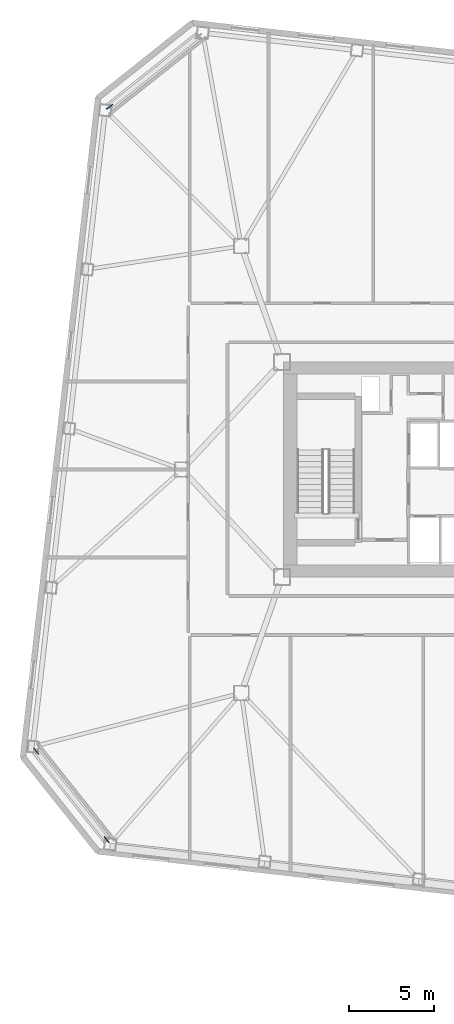
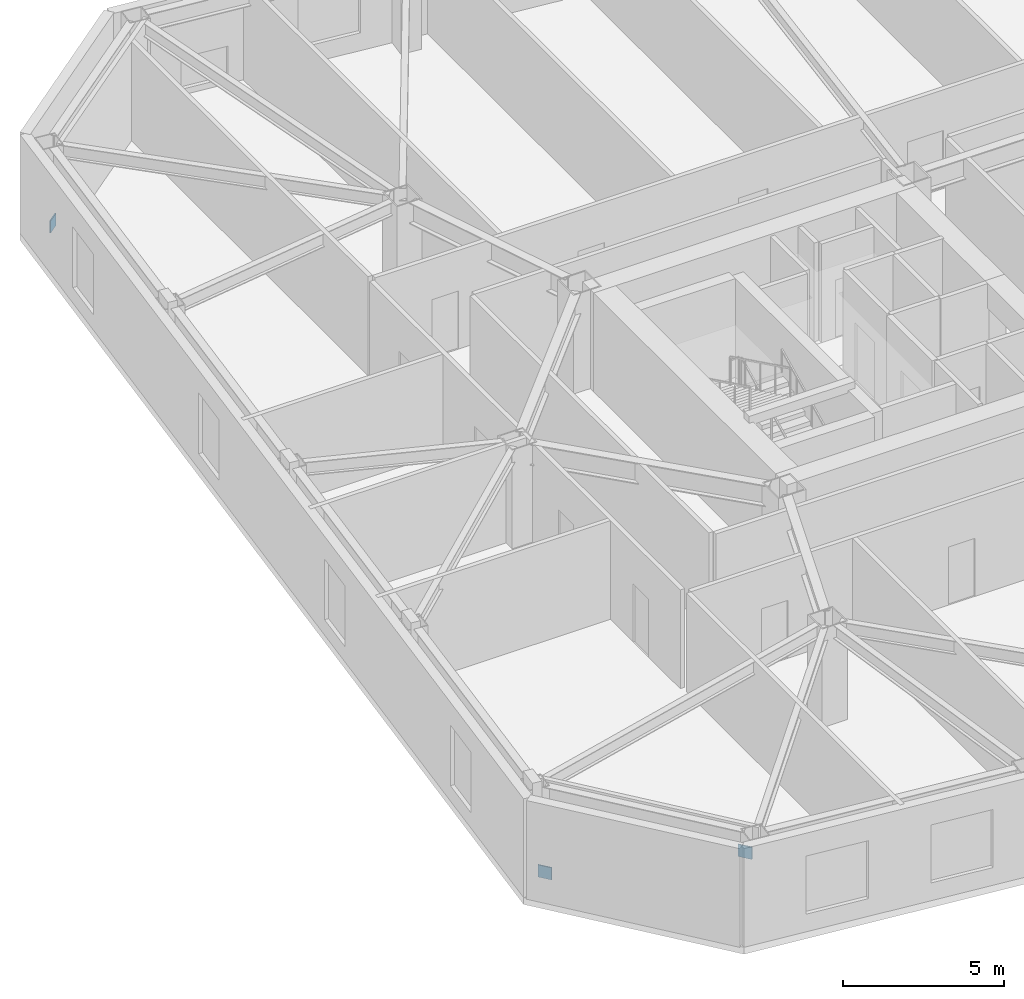
# One storey, part 19 of 23: 3 discrete accessories.
"""IFC4 building model written with IfcOpenShell, lengths in metres."""

from ifc_helpers import new_model, si_unit, direction, frame, origin, origin_2d, place, context, subcontext, project, spatial, rectangle, extrude, material, type_object, element, save


model = new_model("IFC4")

# Units and contexts
model_context = context("Model", 3, precision=1e-05, world=origin(), true_north=direction((0.0, 1.0)))
body_context = subcontext(model_context, "Body", "Model", "MODEL_VIEW")
ifc_project = project(units=[si_unit("LENGTHUNIT", "METRE"), si_unit("AREAUNIT", "SQUARE_METRE"), si_unit("VOLUMEUNIT", "CUBIC_METRE"), si_unit("PLANEANGLEUNIT", "RADIAN"), si_unit("MASSUNIT", "GRAM", prefix="KILO")], contexts=[model_context])

# Site, building, storey
site_placement = place(None, origin())
site = spatial("IfcSite", under=ifc_project, at=site_placement, CompositionType="ELEMENT")
building_placement = place(site_placement, origin())
building = spatial("IfcBuilding", under=site, at=building_placement, Name="Tavrogorsk Clinical Tower", CompositionType="ELEMENT")
storey_placement = place(building_placement, frame((0.0, 0.0, 113.39990234375)))
storey = spatial("IfcBuildingStorey", under=building, at=storey_placement, Name="L25", CompositionType="ELEMENT", Elevation=113.39990234375)

# Discrete accessories
ifc_material = material(Name="Structural steel S440", Category="steel")
discrete_accessory_type = type_object("IfcDiscreteAccessoryType", Name="GussetPlateBracket_25", PredefinedType="BRACKET", material=ifc_material)
for number, where, z_axis, x_axis, name in (
    (1, (-32.27587890625, 21.431884765625, 0.195068359375), (0.0, 0.0, 1.0), (0.782608156852, 0.622514636638, 0.0), "L25 Brace Gusset Plate EXOCRN-L25-3-A"),
    (2, (-36.613037109375, -16.63623046875, 0.195068359375), (0.0, 0.0, 1.0), (0.622514636638, -0.782608156852, 0.0), "L25 Brace Gusset Plate EXOCRN-L25-4-A"),
    (3, (-32.452880859375, -21.866455078125, 2.68505859375), (0.0, 0.0, 1.0), (0.622514636638, -0.782608156852, 0.0), "L25 Brace Gusset Plate EXOCRN-L25-4-B"),
):
    element("IfcDiscreteAccessory", number, at=place(storey_placement, frame(where, z_axis=z_axis, x_axis=x_axis)), inside=storey, type_object=discrete_accessory_type, Name=name, PredefinedType="BRACKET", context=body_context, shape_type="SweptSolid", body=[
        extrude(rectangle(XDim=0.4599609375, YDim=0.0400390625, at=origin_2d()), origin(), (0.0, 0.0, 1.0), 0.4599609375),
    ])

save(model, "model.ifc")
